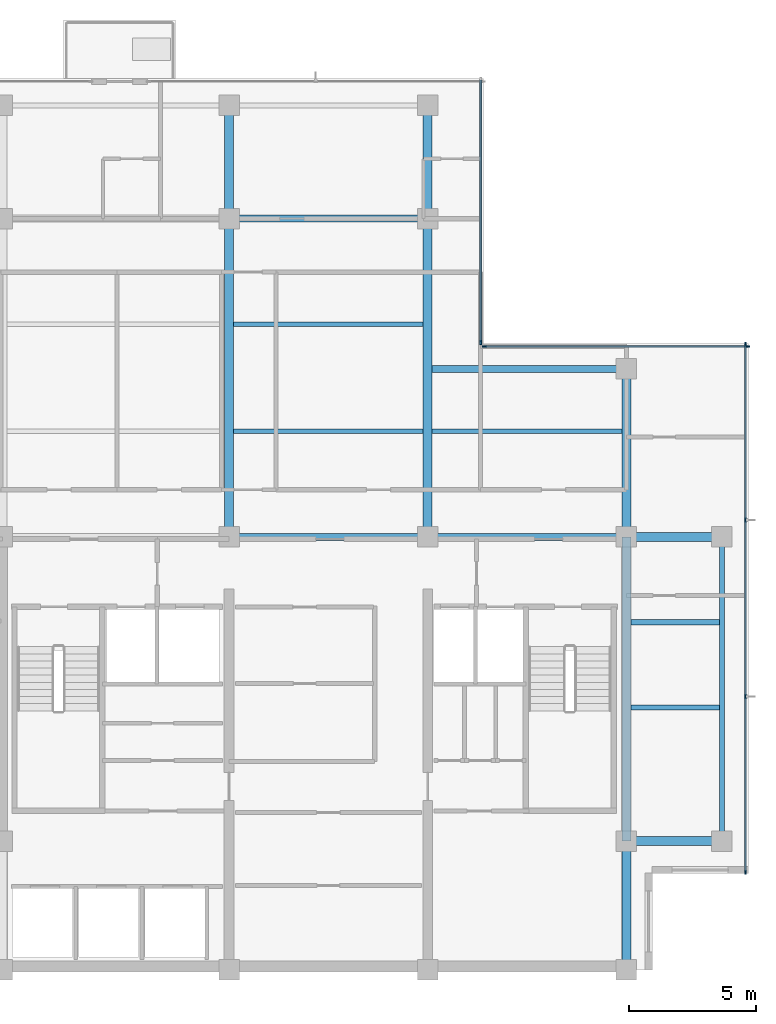
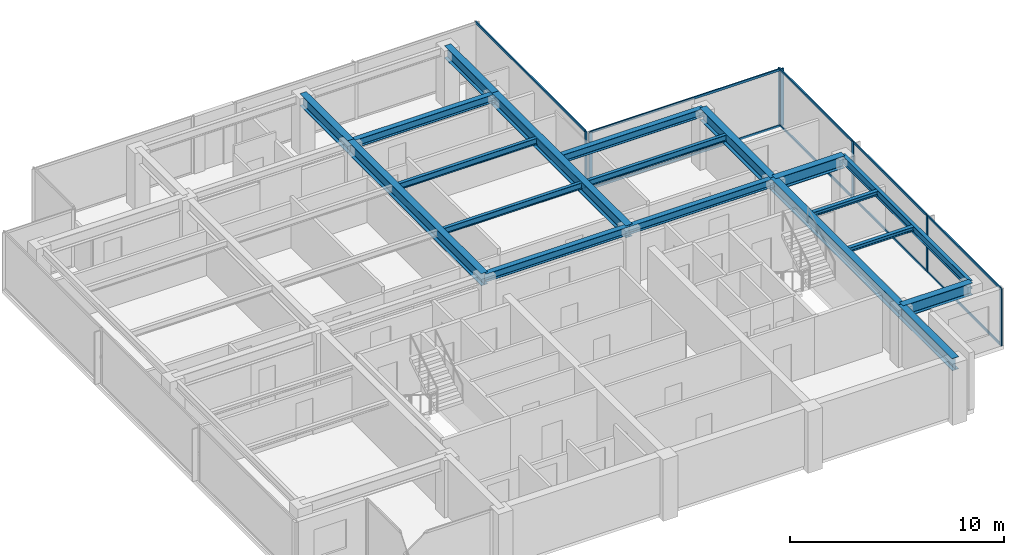
# One storey, part 3 of 11: 19 beams, 17 members, 3 elements without a shape of their own.
"""IFC4 building model written with IfcOpenShell, lengths in metres."""

from ifc_helpers import new_model, si_unit, direction, frame, origin, origin_2d, place, context, subcontext, project, spatial, rectangle, i_section, extrude, material, layer, layer_set, material_profile, profile_set, type_object, element, aggregate, save


model = new_model("IFC4")

# Units and contexts
model_context = context("Model", 3, precision=1e-05, world=origin(), true_north=direction((0.0, 1.0)))
body_context = subcontext(model_context, "Body", "Model", "MODEL_VIEW")
ifc_project = project(units=[si_unit("LENGTHUNIT", "METRE"), si_unit("AREAUNIT", "SQUARE_METRE"), si_unit("VOLUMEUNIT", "CUBIC_METRE"), si_unit("PLANEANGLEUNIT", "RADIAN"), si_unit("MASSUNIT", "GRAM", prefix="KILO")], contexts=[model_context])

# Site, building, storey
site_placement = place(None, origin())
site = spatial("IfcSite", under=ifc_project, at=site_placement, CompositionType="ELEMENT")
building_placement = place(site_placement, origin())
building = spatial("IfcBuilding", under=site, at=building_placement, Name="Qalmaran Belvedere Hotel", CompositionType="ELEMENT")
storey_placement = place(building_placement, frame((0.0, 0.0, 273.89990234375)))
storey = spatial("IfcBuildingStorey", under=building, at=storey_placement, Name="L71", CompositionType="ELEMENT", Elevation=273.89990234375)

# Beams
ifc_material_1 = material(Name="Steel S355JR", Category="steel")
ifc_material_profile_1 = material_profile(ifc_material_1, i_section(OverallWidth=0.201904296875, OverallDepth=0.2470703125, WebThickness=0.00732421875, FlangeThickness=0.010986328125, FilletRadius=0.011962890625, at=origin_2d()), Name="W250X49")
ifc_profile_set_1 = profile_set([ifc_material_profile_1], Name="Steel S355JR")
beam_type_1 = type_object("IfcBeamType", Name="BM-JST-W250X49", PredefinedType="JOIST", material=ifc_profile_set_1)
for number, where, z_axis, x_axis, name in (
    (1, (44.9755859375, 13.800048828125, 3.13671875), (1.0, 0.0, 0.0), (0.0, 1.0, 0.0), "L71 East Wing Joist 032"),
    (2, (44.9755859375, 17.14990234375, 3.13671875), (1.0, 0.0, 0.0), (0.0, 1.0, 0.0), "L71 East Wing Joist 034"),
):
    element("IfcBeam", number, at=place(storey_placement, frame(where, z_axis=z_axis, x_axis=x_axis)), inside=storey, type_object=beam_type_1, Name=name, PredefinedType="JOIST", context=body_context, shape_type="SweptSolid", body=[
        extrude(i_section(OverallWidth=0.201904296875, OverallDepth=0.2470703125, WebThickness=0.00732421875, FlangeThickness=0.010986328125, FilletRadius=0.011962890625, at=origin_2d()), origin(), (0.0, 0.0, 1.0), 3.48046875),
    ])
ifc_material_profile_2 = material_profile(ifc_material_1, i_section(OverallWidth=0.172119140625, OverallDepth=0.35791015625, WebThickness=0.0078125, FlangeThickness=0.01318359375, FilletRadius=0.014892578125, at=origin_2d()), Name="W360X57")
ifc_profile_set_2 = profile_set([ifc_material_profile_2], Name="Steel S355JR")
beam_type_2 = type_object("IfcBeamType", Name="BM-SB4-W360X57", PredefinedType="BEAM", material=ifc_profile_set_2)
for number, where, z_axis, x_axis, name in (
    (3, (29.37548828125, 24.64990234375, 3.0810546875), (1.0, 0.0, 0.0), (0.0, 1.0, 0.0), "L71 Secondary Floor Beam 026"),
    (4, (37.175537109375, 24.64990234375, 3.0810546875), (1.0, 0.0, 0.0), (0.0, 1.0, 0.0), "L71 Secondary Floor Beam 027"),
    (5, (29.37548828125, 28.85009765625, 3.0810546875), (1.0, 0.0, 0.0), (0.0, 1.0, 0.0), "L71 Secondary Floor Beam 030"),
):
    element("IfcBeam", number, at=place(storey_placement, frame(where, z_axis=z_axis, x_axis=x_axis)), inside=storey, type_object=beam_type_2, Name=name, PredefinedType="BEAM", context=body_context, shape_type="SweptSolid", body=[
        extrude(i_section(OverallWidth=0.172119140625, OverallDepth=0.35791015625, WebThickness=0.0078125, FlangeThickness=0.01318359375, FilletRadius=0.014892578125, at=origin_2d()), origin(), (0.0, 0.0, 1.0), 7.448974609375),
    ])
ifc_material_profile_3 = material_profile(ifc_material_1, i_section(OverallWidth=0.19189453125, OverallDepth=0.462890625, WebThickness=0.010498046875, FlangeThickness=0.017578125, FilletRadius=0.01611328125, at=origin_2d()), Name="W460X89")
ifc_profile_set_3 = profile_set([ifc_material_profile_3], Name="Steel S355JR")
beam_type_3 = type_object("IfcBeamType", Name="BM-SP2-W460X89", PredefinedType="SPANDREL", material=ifc_profile_set_3)
beam_1_placement = place(storey_placement, frame((48.550048828125, 8.550048828125, 3.028564453125), z_axis=(0.0, 1.0, 0.0), x_axis=(-1.0, 0.0, 0.0)))
element("IfcBeam", 6, at=beam_1_placement, inside=storey, type_object=beam_type_3, Name="L71 Perimeter Spandrel 03", PredefinedType="SPANDREL", context=body_context, shape_type="SweptSolid", body=[
    extrude(i_section(OverallWidth=0.19189453125, OverallDepth=0.462890625, WebThickness=0.010498046875, FlangeThickness=0.017578125, FilletRadius=0.01611328125, at=origin_2d()), origin(), (0.0, 0.0, 1.0), 11.949951171875),
])
ifc_material_profile_4 = material_profile(ifc_material_1, i_section(OverallWidth=0.35498046875, OverallDepth=0.695068359375, WebThickness=0.015380859375, FlangeThickness=0.02490234375, FilletRadius=0.02197265625, at=origin_2d()), Name="W690X217")
ifc_profile_set_4 = profile_set([ifc_material_profile_4], Name="Steel S355JR")
beam_type_4 = type_object("IfcBeamType", Name="BM-Z1-W690X217", PredefinedType="USERDEFINED", material=ifc_profile_set_4)
beam_2_placement = place(storey_placement, frame((29.199951171875, 20.5, 2.91259765625), z_axis=(0.0, 1.0, 0.0), x_axis=(-1.0, 0.0, 0.0)))
element("IfcBeam", 7, at=beam_2_placement, inside=storey, type_object=beam_type_4, Name="L71 Mid-Plate N-S Girder 13", ObjectType="GIRDER", PredefinedType="USERDEFINED", context=body_context, shape_type="SweptSolid", body=[
    extrude(i_section(OverallWidth=0.35498046875, OverallDepth=0.695068359375, WebThickness=0.015380859375, FlangeThickness=0.02490234375, FilletRadius=0.02197265625, at=origin_2d()), origin(), (0.0, 0.0, 1.0), 12.5),
])
beam_3_placement = place(storey_placement, frame((29.199951171875, 33.0, 2.91259765625), z_axis=(0.0, 1.0, 0.0), x_axis=(-1.0, 0.0, 0.0)))
element("IfcBeam", 8, at=beam_3_placement, inside=storey, type_object=beam_type_4, Name="L71 North Bay Girder 14", ObjectType="GIRDER", PredefinedType="USERDEFINED", context=body_context, shape_type="SweptSolid", body=[
    extrude(i_section(OverallWidth=0.35498046875, OverallDepth=0.695068359375, WebThickness=0.015380859375, FlangeThickness=0.02490234375, FilletRadius=0.02197265625, at=origin_2d()), origin(), (0.0, 0.0, 1.0), 4.449951171875),
])
beam_4_placement = place(storey_placement, frame((37.0, 20.5, 2.91259765625), z_axis=(0.0, 1.0, 0.0), x_axis=(-1.0, 0.0, 0.0)))
element("IfcBeam", 9, at=beam_4_placement, inside=storey, type_object=beam_type_4, Name="L71 Mid-Plate N-S Girder 15", ObjectType="GIRDER", PredefinedType="USERDEFINED", context=body_context, shape_type="SweptSolid", body=[
    extrude(i_section(OverallWidth=0.35498046875, OverallDepth=0.695068359375, WebThickness=0.015380859375, FlangeThickness=0.02490234375, FilletRadius=0.02197265625, at=origin_2d()), origin(), (0.0, 0.0, 1.0), 12.5),
])
beam_5_placement = place(storey_placement, frame((37.0, 33.0, 2.91259765625), z_axis=(0.0, 1.0, 0.0), x_axis=(-1.0, 0.0, 0.0)))
element("IfcBeam", 10, at=beam_5_placement, inside=storey, type_object=beam_type_4, Name="L71 North Bay Girder 16", ObjectType="GIRDER", PredefinedType="USERDEFINED", context=body_context, shape_type="SweptSolid", body=[
    extrude(i_section(OverallWidth=0.35498046875, OverallDepth=0.695068359375, WebThickness=0.015380859375, FlangeThickness=0.02490234375, FilletRadius=0.02197265625, at=origin_2d()), origin(), (0.0, 0.0, 1.0), 4.449951171875),
])
beam_6_placement = place(storey_placement, frame((44.800048828125, 20.5, 2.91259765625), z_axis=(0.0, 1.0, 0.0), x_axis=(-1.0, 0.0, 0.0)))
element("IfcBeam", 11, at=beam_6_placement, inside=storey, type_object=beam_type_4, Name="L71 Mid-Plate N-S Girder 17", ObjectType="GIRDER", PredefinedType="USERDEFINED", context=body_context, shape_type="SweptSolid", body=[
    extrude(i_section(OverallWidth=0.35498046875, OverallDepth=0.695068359375, WebThickness=0.015380859375, FlangeThickness=0.02490234375, FilletRadius=0.02197265625, at=origin_2d()), origin(), (0.0, 0.0, 1.0), 6.60009765625),
])
beam_7_placement = place(storey_placement, frame((44.800048828125, 3.5, 2.91259765625), z_axis=(0.0, 1.0, 0.0), x_axis=(-1.0, 0.0, 0.0)))
element("IfcBeam", 12, at=beam_7_placement, inside=storey, type_object=beam_type_4, Name="L71 East Core Edge Girder A", ObjectType="GIRDER", PredefinedType="USERDEFINED", context=body_context, shape_type="SweptSolid", body=[
    extrude(i_section(OverallWidth=0.35498046875, OverallDepth=0.695068359375, WebThickness=0.015380859375, FlangeThickness=0.02490234375, FilletRadius=0.02197265625, at=origin_2d()), origin(), (0.0, 0.0, 1.0), 5.050048828125),
])
beam_8_placement = place(storey_placement, frame((44.800048828125, 8.550048828125, 2.91259765625), z_axis=(0.0, 1.0, 0.0), x_axis=(-1.0, 0.0, 0.0)))
element("IfcBeam", 13, at=beam_8_placement, inside=storey, type_object=beam_type_4, Name="L71 East Core Edge Girder B", ObjectType="GIRDER", PredefinedType="USERDEFINED", context=body_context, shape_type="SweptSolid", body=[
    extrude(i_section(OverallWidth=0.35498046875, OverallDepth=0.695068359375, WebThickness=0.015380859375, FlangeThickness=0.02490234375, FilletRadius=0.02197265625, at=origin_2d()), origin(), (0.0, 0.0, 1.0), 11.949951171875),
])
for number, where, z_axis, x_axis, name in (
    (14, (44.800048828125, 8.550048828125, 2.91259765625), (1.0, 0.0, 0.0), (0.0, 1.0, 0.0), "L71 East Wing Girder 22"),
    (15, (44.800048828125, 20.5, 2.91259765625), (1.0, 0.0, 0.0), (0.0, 1.0, 0.0), "L71 East Wing Girder 23"),
):
    element("IfcBeam", number, at=place(storey_placement, frame(where, z_axis=z_axis, x_axis=x_axis)), inside=storey, type_object=beam_type_4, Name=name, ObjectType="GIRDER", PredefinedType="USERDEFINED", context=body_context, shape_type="SweptSolid", body=[
        extrude(i_section(OverallWidth=0.35498046875, OverallDepth=0.695068359375, WebThickness=0.015380859375, FlangeThickness=0.02490234375, FilletRadius=0.02197265625, at=origin_2d()), origin(), (0.0, 0.0, 1.0), 3.75),
    ])
ifc_material_profile_5 = material_profile(ifc_material_1, i_section(OverallWidth=0.280029296875, OverallDepth=0.462890625, WebThickness=0.0107421875, FlangeThickness=0.017333984375, FilletRadius=0.01611328125, at=origin_2d()), Name="W460X113")
ifc_profile_set_5 = profile_set([ifc_material_profile_5], Name="Steel S355JR")
beam_type_5 = type_object("IfcBeamType", Name="BM-Z5-W460X113", PredefinedType="USERDEFINED", material=ifc_profile_set_5)
for number, where, z_axis, x_axis, name in (
    (16, (29.199951171875, 20.5, 3.028564453125), (1.0, 0.0, 0.0), (0.0, 1.0, 0.0), "L71 Interior E-W Girder 07"),
    (17, (37.0, 20.5, 3.028564453125), (1.0, 0.0, 0.0), (0.0, 1.0, 0.0), "L71 Interior E-W Girder 08"),
    (18, (29.199951171875, 33.0, 3.028564453125), (1.0, 0.0, 0.0), (0.0, 1.0, 0.0), "L71 Interior E-W Girder 10"),
):
    element("IfcBeam", number, at=place(storey_placement, frame(where, z_axis=z_axis, x_axis=x_axis)), inside=storey, type_object=beam_type_5, Name=name, ObjectType="GIRDER", PredefinedType="USERDEFINED", context=body_context, shape_type="SweptSolid", body=[
        extrude(i_section(OverallWidth=0.280029296875, OverallDepth=0.462890625, WebThickness=0.0107421875, FlangeThickness=0.017333984375, FilletRadius=0.01611328125, at=origin_2d()), origin(), (0.0, 0.0, 1.0), 7.800048828125),
    ])
beam_9_placement = place(storey_placement, frame((37.175537109375, 27.10009765625, 3.028564453125), z_axis=(1.0, 0.0, 0.0), x_axis=(0.0, 1.0, 0.0)))
element("IfcBeam", 19, at=beam_9_placement, inside=storey, type_object=beam_type_5, Name="L71 North-East Notch Rim Girder", ObjectType="GIRDER", PredefinedType="USERDEFINED", context=body_context, shape_type="SweptSolid", body=[
    extrude(i_section(OverallWidth=0.280029296875, OverallDepth=0.462890625, WebThickness=0.0107421875, FlangeThickness=0.017333984375, FilletRadius=0.01611328125, at=origin_2d()), origin(), (0.0, 0.0, 1.0), 7.62451171875),
])

# Curtain wall, members
ifc_material_2 = material(Name="Anodised Bronze Aluminium", Category="aluminium")
ifc_layer = layer(ifc_material_2, 0.18505859375, Name="Anodised Bronze Aluminium")
ifc_layer_set = layer_set([ifc_layer], Name="Anodised Bronze Aluminium")
curtain_wall_type = type_object("IfcCurtainWallType", Name="CW6-TOWER-SKY", PredefinedType="NOTDEFINED", material=ifc_layer_set)
curtain_wall_1_placement = place(storey_placement, origin())
curtain_wall_1 = element("IfcCurtainWall", 20, at=curtain_wall_1_placement, inside=storey, type_object=curtain_wall_type, Name="L71 Curtain Wall CW6", PredefinedType="NOTDEFINED")
ifc_material_profile_6 = material_profile(ifc_material_2, rectangle(XDim=0.06494140625, YDim=0.1650390625, at=origin_2d()), Name="CWM65X165")
ifc_profile_set_6 = profile_set([ifc_material_profile_6], Name="Anodised Bronze Aluminium")
member_type_1 = type_object("IfcMemberType", Name="CWM-65X165", PredefinedType="MULLION", material=ifc_profile_set_6)
member_1_placement = place(storey_placement, frame((49.47998046875, 7.33251953125, 0.0), z_axis=(0.0, 0.0, 1.0), x_axis=(-1.0, 0.0, 0.0)))
member_1 = element("IfcMember", 21, at=member_1_placement, type_object=member_type_1, Name="CW6 mullion 1", PredefinedType="MULLION", context=body_context, shape_type="SweptSolid", body=[
    extrude(rectangle(XDim=0.06494140625, YDim=0.1650390625, at=origin_2d()), origin(), (0.0, 0.0, 1.0), 3.260009765625),
])
member_2_placement = place(storey_placement, frame((49.47998046875, 14.2333984375, 0.0), z_axis=(0.0, 0.0, 1.0), x_axis=(-1.0, 0.0, 0.0)))
member_2 = element("IfcMember", 22, at=member_2_placement, type_object=member_type_1, Name="CW6 mullion 2", PredefinedType="MULLION", context=body_context, shape_type="SweptSolid", body=[
    extrude(rectangle(XDim=0.06494140625, YDim=0.1650390625, at=origin_2d()), origin(), (0.0, 0.0, 1.0), 3.260009765625),
])
member_3_placement = place(storey_placement, frame((49.47998046875, 21.166748046875, 0.0), z_axis=(0.0, 0.0, 1.0), x_axis=(-1.0, 0.0, 0.0)))
member_3 = element("IfcMember", 23, at=member_3_placement, type_object=member_type_1, Name="CW6 mullion 3", PredefinedType="MULLION", context=body_context, shape_type="SweptSolid", body=[
    extrude(rectangle(XDim=0.06494140625, YDim=0.1650390625, at=origin_2d()), origin(), (0.0, 0.0, 1.0), 3.260009765625),
])
member_4_placement = place(storey_placement, frame((49.47998046875, 28.0673828125, 0.0), z_axis=(0.0, 0.0, 1.0), x_axis=(-1.0, 0.0, 0.0)))
member_4 = element("IfcMember", 24, at=member_4_placement, type_object=member_type_1, Name="CW6 mullion 4", PredefinedType="MULLION", context=body_context, shape_type="SweptSolid", body=[
    extrude(rectangle(XDim=0.06494140625, YDim=0.1650390625, at=origin_2d()), origin(), (0.0, 0.0, 1.0), 3.260009765625),
])

curtain_wall_2_placement = place(storey_placement, origin())
curtain_wall_2 = element("IfcCurtainWall", 25, at=curtain_wall_2_placement, inside=storey, type_object=curtain_wall_type, Name="L71 Curtain Wall CW6", PredefinedType="NOTDEFINED")
member_5_placement = place(storey_placement, frame((49.5673828125, 27.97998046875, 0.0), z_axis=(0.0, 0.0, 1.0), x_axis=(0.0, -1.0, 0.0)))
member_5 = element("IfcMember", 26, at=member_5_placement, type_object=member_type_1, Name="CW6 mullion 1", PredefinedType="MULLION", context=body_context, shape_type="SweptSolid", body=[
    extrude(rectangle(XDim=0.06494140625, YDim=0.1650390625, at=origin_2d()), origin(), (0.0, 0.0, 1.0), 3.260009765625),
])
member_6_placement = place(storey_placement, frame((39.232421875, 27.97998046875, 0.0), z_axis=(0.0, 0.0, 1.0), x_axis=(0.0, -1.0, 0.0)))
member_6 = element("IfcMember", 27, at=member_6_placement, type_object=member_type_1, Name="CW6 mullion 2", PredefinedType="MULLION", context=body_context, shape_type="SweptSolid", body=[
    extrude(rectangle(XDim=0.06494140625, YDim=0.1650390625, at=origin_2d()), origin(), (0.0, 0.0, 1.0), 3.260009765625),
])

# Curtain wall, member
curtain_wall_3_placement = place(storey_placement, origin())
curtain_wall_3 = element("IfcCurtainWall", 28, at=curtain_wall_3_placement, inside=storey, type_object=curtain_wall_type, Name="L71 Curtain Wall CW6", PredefinedType="NOTDEFINED")
member_7_placement = place(storey_placement, frame((39.080078125, 28.132568359375, 0.0), z_axis=(0.0, 0.0, 1.0), x_axis=(-1.0, 0.0, 0.0)))
member_7 = element("IfcMember", 29, at=member_7_placement, type_object=member_type_1, Name="CW6 mullion 1", PredefinedType="MULLION", context=body_context, shape_type="SweptSolid", body=[
    extrude(rectangle(XDim=0.06494140625, YDim=0.1650390625, at=origin_2d()), origin(), (0.0, 0.0, 1.0), 3.260009765625),
])

# Member
ifc_material_profile_7 = material_profile(ifc_material_2, rectangle(XDim=0.06494140625, YDim=0.1298828125, at=origin_2d()), Name="CWT65X130")
ifc_profile_set_7 = profile_set([ifc_material_profile_7], Name="Anodised Bronze Aluminium")
member_type_2 = type_object("IfcMemberType", Name="CWT-65X130", PredefinedType="USERDEFINED", material=ifc_profile_set_7)
member_8_placement = place(storey_placement, frame((49.47998046875, 7.364990234375, 0.03271484375), z_axis=(0.0, 1.0, 0.0), x_axis=(-1.0, 0.0, 0.0)))
member_8 = element("IfcMember", 30, at=member_8_placement, type_object=member_type_2, Name="CW6 transom 1.1", ObjectType="TRANSOM", PredefinedType="USERDEFINED", context=body_context, shape_type="SweptSolid", body=[
    extrude(rectangle(XDim=0.06494140625, YDim=0.1298828125, at=origin_2d()), origin(), (0.0, 0.0, 1.0), 6.8359375),
])

member_9_placement = place(storey_placement, frame((49.47998046875, 7.364990234375, 3.2275390625), z_axis=(0.0, 1.0, 0.0), x_axis=(-1.0, 0.0, 0.0)))
member_9 = element("IfcMember", 31, at=member_9_placement, type_object=member_type_2, Name="CW6 transom 1.2", ObjectType="TRANSOM", PredefinedType="USERDEFINED", context=body_context, shape_type="SweptSolid", body=[
    extrude(rectangle(XDim=0.06494140625, YDim=0.1298828125, at=origin_2d()), origin(), (0.0, 0.0, 1.0), 6.8359375),
])

member_10_placement = place(storey_placement, frame((49.47998046875, 14.265869140625, 0.03271484375), z_axis=(0.0, 1.0, 0.0), x_axis=(-1.0, 0.0, 0.0)))
member_10 = element("IfcMember", 32, at=member_10_placement, type_object=member_type_2, Name="CW6 transom 2.1", ObjectType="TRANSOM", PredefinedType="USERDEFINED", context=body_context, shape_type="SweptSolid", body=[
    extrude(rectangle(XDim=0.06494140625, YDim=0.1298828125, at=origin_2d()), origin(), (0.0, 0.0, 1.0), 6.868408203125),
])

member_11_placement = place(storey_placement, frame((49.47998046875, 14.265869140625, 3.2275390625), z_axis=(0.0, 1.0, 0.0), x_axis=(-1.0, 0.0, 0.0)))
member_11 = element("IfcMember", 33, at=member_11_placement, type_object=member_type_2, Name="CW6 transom 2.2", ObjectType="TRANSOM", PredefinedType="USERDEFINED", context=body_context, shape_type="SweptSolid", body=[
    extrude(rectangle(XDim=0.06494140625, YDim=0.1298828125, at=origin_2d()), origin(), (0.0, 0.0, 1.0), 6.868408203125),
])

member_12_placement = place(storey_placement, frame((49.47998046875, 21.19921875, 0.03271484375), z_axis=(0.0, 1.0, 0.0), x_axis=(-1.0, 0.0, 0.0)))
member_12 = element("IfcMember", 34, at=member_12_placement, type_object=member_type_2, Name="CW6 transom 3.1", ObjectType="TRANSOM", PredefinedType="USERDEFINED", context=body_context, shape_type="SweptSolid", body=[
    extrude(rectangle(XDim=0.06494140625, YDim=0.1298828125, at=origin_2d()), origin(), (0.0, 0.0, 1.0), 6.835693359375),
])

member_13_placement = place(storey_placement, frame((49.47998046875, 21.19921875, 3.2275390625), z_axis=(0.0, 1.0, 0.0), x_axis=(-1.0, 0.0, 0.0)))
member_13 = element("IfcMember", 35, at=member_13_placement, type_object=member_type_2, Name="CW6 transom 3.2", ObjectType="TRANSOM", PredefinedType="USERDEFINED", context=body_context, shape_type="SweptSolid", body=[
    extrude(rectangle(XDim=0.06494140625, YDim=0.1298828125, at=origin_2d()), origin(), (0.0, 0.0, 1.0), 6.835693359375),
])

aggregate(curtain_wall_1, [member_1, member_2, member_3, member_4, member_8, member_9, member_10, member_11, member_12, member_13])

member_14_placement = place(storey_placement, frame((49.534912109375, 27.97998046875, 0.03271484375), z_axis=(-1.0, 0.0, 0.0), x_axis=(0.0, -1.0, 0.0)))
member_14 = element("IfcMember", 36, at=member_14_placement, type_object=member_type_2, Name="CW6 transom 1.1", ObjectType="TRANSOM", PredefinedType="USERDEFINED", context=body_context, shape_type="SweptSolid", body=[
    extrude(rectangle(XDim=0.06494140625, YDim=0.1298828125, at=origin_2d()), origin(), (0.0, 0.0, 1.0), 10.27001953125),
])

member_15_placement = place(storey_placement, frame((49.534912109375, 27.97998046875, 3.2275390625), z_axis=(-1.0, 0.0, 0.0), x_axis=(0.0, -1.0, 0.0)))
member_15 = element("IfcMember", 37, at=member_15_placement, type_object=member_type_2, Name="CW6 transom 1.2", ObjectType="TRANSOM", PredefinedType="USERDEFINED", context=body_context, shape_type="SweptSolid", body=[
    extrude(rectangle(XDim=0.06494140625, YDim=0.1298828125, at=origin_2d()), origin(), (0.0, 0.0, 1.0), 10.27001953125),
])

aggregate(curtain_wall_2, [member_5, member_6, member_14, member_15])

member_16_placement = place(storey_placement, frame((39.080078125, 28.1650390625, 0.03271484375), z_axis=(0.0, 1.0, 0.0), x_axis=(-1.0, 0.0, 0.0)))
member_16 = element("IfcMember", 38, at=member_16_placement, type_object=member_type_2, Name="CW6 transom 1.1", ObjectType="TRANSOM", PredefinedType="USERDEFINED", context=body_context, shape_type="SweptSolid", body=[
    extrude(rectangle(XDim=0.06494140625, YDim=0.1298828125, at=origin_2d()), origin(), (0.0, 0.0, 1.0), 10.27001953125),
])

member_17_placement = place(storey_placement, frame((39.080078125, 28.1650390625, 3.2275390625), z_axis=(0.0, 1.0, 0.0), x_axis=(-1.0, 0.0, 0.0)))
member_17 = element("IfcMember", 39, at=member_17_placement, type_object=member_type_2, Name="CW6 transom 1.2", ObjectType="TRANSOM", PredefinedType="USERDEFINED", context=body_context, shape_type="SweptSolid", body=[
    extrude(rectangle(XDim=0.06494140625, YDim=0.1298828125, at=origin_2d()), origin(), (0.0, 0.0, 1.0), 10.27001953125),
])

aggregate(curtain_wall_3, [member_7, member_16, member_17])

save(model, "model.ifc")
